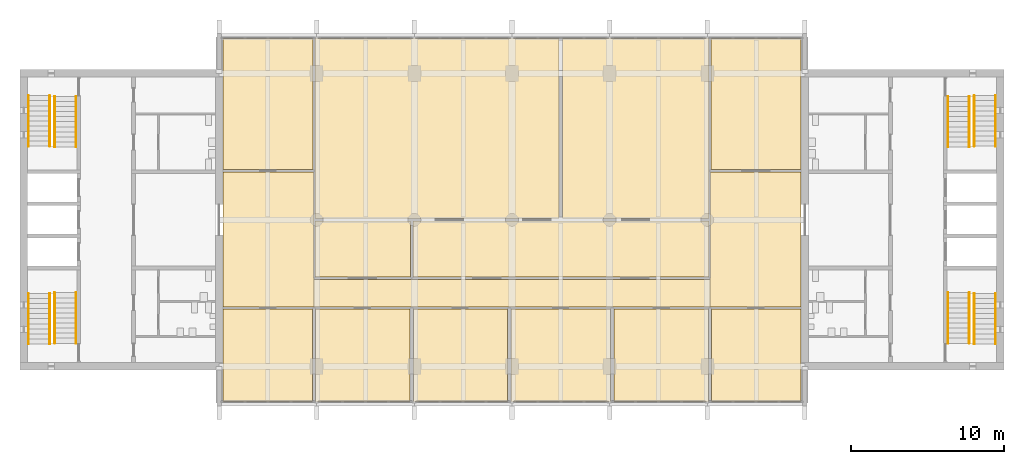
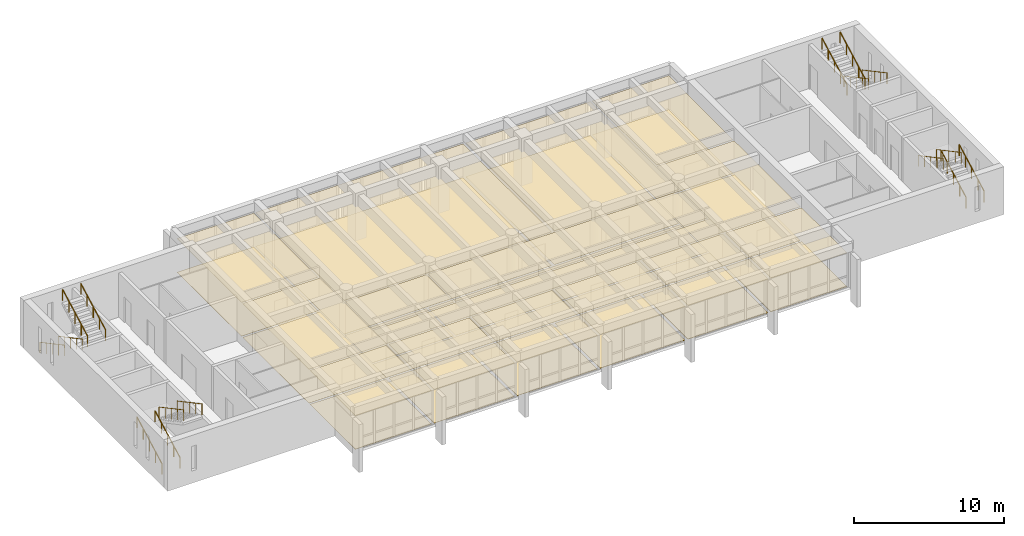
# One storey, part 14 of 15: 30 coverings, 16 railings.
"""IFC4 building model written with IfcOpenShell, lengths in metres."""

import ifcopenshell
import ifcopenshell.guid

model = None  # the IFC model being written
_history = None  # IfcOwnerHistory: only IFC2X3 demands one
_inside = {}  # id of a spatial element -> (the spatial element, [elements in it])
_under = {}  # id of a project, library or spatial element -> (it, [spatial elements below it])
_declared = {}  # id of a project -> (the project, [libraries it declares])
_typed = {}  # id of a type object -> (the type object, [elements of that type])
_made_of = {}  # id of a material, layer set ... -> (it, [elements and type objects made of it])


def new_model(schema):
    """Start an empty IFC model of exactly this schema.

    Asked for "IFC4X3", IfcOpenShell would pick the latest addendum, in which some entities
    have other attributes; the version numbers below select the first issue.
    IFC2X3 requires an IfcOwnerHistory on every rooted entity: one is made here for all.
    """
    global model, _history
    if schema == "IFC4X3":
        model = ifcopenshell.file(schema_version=(4, 3, 0, 0))
    else:
        model = ifcopenshell.file(schema=schema)
    _inside.clear()
    _under.clear()
    _declared.clear()
    _typed.clear()
    _made_of.clear()
    _history = None
    if model.schema == "IFC2X3":
        org = make("IfcOrganization", Name="unknown")
        user = make(
            "IfcPersonAndOrganization",
            ThePerson=make("IfcPerson", FamilyName="unknown"),
            TheOrganization=org,
        )
        app = make(
            "IfcApplication",
            ApplicationDeveloper=org,
            Version="unknown",
            ApplicationFullName="unknown",
            ApplicationIdentifier="unknown",
        )
        _history = make(
            "IfcOwnerHistory",
            OwningUser=user,
            OwningApplication=app,
            ChangeAction="ADDED",
            CreationDate=0,
        )
    return model


def make(cls, **values):
    """One entity of the class cls with the attributes given. An attribute that is None is left unset."""
    return model.create_entity(
        cls, **{name: value for name, value in values.items() if value is not None}
    )


def rooted(cls, **values):
    """An entity with a GlobalId (a new one), such as an element, a storey or a relation."""
    return make(cls, GlobalId=ifcopenshell.guid.new(), OwnerHistory=_history, **values)


def si_unit(unit_type, name, prefix=None):
    """IfcSIUnit, for example si_unit("LENGTHUNIT", "METRE", prefix="MILLI")."""
    return make("IfcSIUnit", UnitType=unit_type, Prefix=prefix, Name=name)


def assignment(units):
    """IfcUnitAssignment: the units of a project."""
    return None if units is None else make("IfcUnitAssignment", Units=units)


def point(xyz):
    """IfcCartesianPoint."""
    return None if xyz is None else make("IfcCartesianPoint", Coordinates=xyz)


def direction(xyz):
    """IfcDirection."""
    return None if xyz is None else make("IfcDirection", DirectionRatios=xyz)


def frame(location, z_axis=None, x_axis=None):
    """IfcAxis2Placement3D, a coordinate frame: its origin and axes. An axis left out is left unset."""
    return make(
        "IfcAxis2Placement3D",
        Location=point(location),
        Axis=direction(z_axis),
        RefDirection=direction(x_axis),
    )


def frame_2d(location, x_axis=None):
    """IfcAxis2Placement2D, a coordinate frame in the plane: its origin and x axis."""
    return make(
        "IfcAxis2Placement2D", Location=point(location), RefDirection=direction(x_axis)
    )


def origin():
    """The frame at (0, 0, 0) with its axes left unset."""
    return frame((0.0, 0.0, 0.0))


def origin_2d():
    """The frame at (0, 0) in the plane with its x axis left unset."""
    return frame_2d((0.0, 0.0))


def place(relative_to, where):
    """IfcLocalPlacement: puts the frame where relative to a parent placement (None: the world)."""
    return make(
        "IfcLocalPlacement", PlacementRelTo=relative_to, RelativePlacement=where
    )


def context(
    kind, dimensions, precision=None, world=None, true_north=None, identifier=None
):
    """IfcGeometricRepresentationContext, for example the 3D "Model" context."""
    return make(
        "IfcGeometricRepresentationContext",
        ContextIdentifier=identifier,
        ContextType=kind,
        CoordinateSpaceDimension=dimensions,
        Precision=precision,
        WorldCoordinateSystem=world,
        TrueNorth=true_north,
    )


def subcontext(parent, identifier, kind, view, scale=None):
    """IfcGeometricRepresentationSubContext, for example "Body" below "Model"."""
    return make(
        "IfcGeometricRepresentationSubContext",
        ContextIdentifier=identifier,
        ContextType=kind,
        ParentContext=parent,
        TargetScale=scale,
        TargetView=view,
    )


def project(units=None, contexts=None):
    """IfcProject with its units and contexts."""
    return rooted(
        "IfcProject",
        Name="project",
        RepresentationContexts=contexts,
        UnitsInContext=assignment(units),
    )


def spatial(cls, under=None, at=None, **own):
    """A site, building, storey or space (cls), placed at a placement, below another one or the project."""
    s = rooted(cls, ObjectPlacement=at, **own)
    if under is not None:
        _under.setdefault(under.id(), (under, []))[1].append(s)
    return s


def polyline(points):
    """IfcPolyline through the points."""
    return make("IfcPolyline", Points=[point(p) for p in points])


def profile(cls, at=None, kind="AREA", **sizes):
    """A parametric profile (cls). Its sizes go by their IFC names, for example OverallWidth=200.0."""
    return make(cls, ProfileType=kind, Position=at, **sizes)


def circle(**sizes):
    """IfcCircleProfileDef."""
    return profile("IfcCircleProfileDef", **sizes)


def outline(outer, holes=None, kind="AREA"):
    """IfcArbitraryClosedProfileDef: a profile drawn as a closed curve; with holes, ...WithVoids."""
    if holes is None:
        return make("IfcArbitraryClosedProfileDef", ProfileType=kind, OuterCurve=outer)
    return make(
        "IfcArbitraryProfileDefWithVoids",
        ProfileType=kind,
        OuterCurve=outer,
        InnerCurves=holes,
    )


def extrude(swept, where, along, depth):
    """IfcExtrudedAreaSolid: the profile swept, set in the frame where, extruded along a direction by depth."""
    return make(
        "IfcExtrudedAreaSolid",
        SweptArea=swept,
        Position=where,
        ExtrudedDirection=direction(along),
        Depth=depth,
    )


def shape(context_of_items, identifier, shape_type, items):
    """IfcShapeRepresentation: the items that make up one representation, for example the "Body"."""
    return make(
        "IfcShapeRepresentation",
        ContextOfItems=context_of_items,
        RepresentationIdentifier=identifier,
        RepresentationType=shape_type,
        Items=items,
    )


def material(Name=None, Category=None):
    """IfcMaterial."""
    return make("IfcMaterial", Name=Name, Category=Category)


def layer(
    of_material, thickness, ventilated=None, Name=None, Category=None, Priority=None
):
    """IfcMaterialLayer: one layer of a wall or slab, of a material (None: an air gap)."""
    return make(
        "IfcMaterialLayer",
        Material=of_material,
        LayerThickness=thickness,
        IsVentilated=ventilated,
        Name=Name,
        Category=Category,
        Priority=Priority,
    )


def layer_set(layers, Name=None):
    """IfcMaterialLayerSet."""
    return make("IfcMaterialLayerSet", MaterialLayers=layers, LayerSetName=Name)


def made_of(thing, what):
    """Note that an element or type object is made of a material, layer set ...; save() writes the relation."""
    if what is not None:
        _made_of.setdefault(what.id(), (what, []))[1].append(thing)
    return thing


def type_object(cls, material=None, **own):
    """A type object (cls), such as IfcWallType, which elements share."""
    return made_of(rooted(cls, **own), material)


def element(
    cls,
    number,
    at=None,
    inside=None,
    cuts=None,
    type_object=None,
    material=None,
    context=None,
    identifier="Body",
    shape_type=None,
    held_by="IfcProductDefinitionShape",
    body=None,
    shapes=None,
    **own,
):
    """One element of the class cls, such as IfcWall. Its Tag is "e" and its number.

    at: its placement. inside: the storey or other place that contains it. cuts: it is an
    opening in that element (IfcRelVoidsElement). A single representation is given by context,
    identifier, shape_type and body (its items); several are given by shapes. held_by: the class
    of the entity that holds the representations. save() writes the other relations.
    """
    e = rooted(cls, Tag="e%d" % number, ObjectPlacement=at, **own)
    if body is not None:
        shapes = [shape(context, identifier, shape_type, body)]
    if shapes is not None:
        e.Representation = make(held_by, Representations=shapes)
    if inside is not None:
        _inside.setdefault(inside.id(), (inside, []))[1].append(e)
    if cuts is not None:
        rooted(
            "IfcRelVoidsElement", RelatingBuildingElement=cuts, RelatedOpeningElement=e
        )
    if type_object is not None:
        _typed.setdefault(type_object.id(), (type_object, []))[1].append(e)
    return made_of(e, material)


def aggregate(whole, parts):
    """IfcRelAggregates: a whole, such as a stair, and the parts it consists of."""
    return rooted("IfcRelAggregates", RelatingObject=whole, RelatedObjects=parts)


def save(model, path):
    """Write the relations noted so far, then the file.

    IfcRelAggregates (storeys below a building ...), IfcRelContainedInSpatialStructure (elements
    in a storey), IfcRelDefinesByType, IfcRelAssociatesMaterial and IfcRelDeclares: one each for
    every whole, place, type object, material and project.
    """
    for whole, parts in _under.values():
        aggregate(whole, parts)
    for where, things in _inside.values():
        rooted(
            "IfcRelContainedInSpatialStructure",
            RelatedElements=things,
            RelatingStructure=where,
        )
    for kind, things in _typed.values():
        rooted("IfcRelDefinesByType", RelatedObjects=things, RelatingType=kind)
    for what, things in _made_of.values():
        rooted("IfcRelAssociatesMaterial", RelatedObjects=things, RelatingMaterial=what)
    for by, libraries in _declared.values():
        rooted("IfcRelDeclares", RelatingContext=by, RelatedDefinitions=libraries)
    model.write(path)


model = new_model("IFC4")

# Units and contexts
model_context = context("Model", 3, precision=1e-05, world=origin(), true_north=direction((0.0, 1.0)))
body_context = subcontext(model_context, "Body", "Model", "MODEL_VIEW")
ifc_project = project(units=[si_unit("LENGTHUNIT", "METRE"), si_unit("AREAUNIT", "SQUARE_METRE"), si_unit("VOLUMEUNIT", "CUBIC_METRE"), si_unit("PLANEANGLEUNIT", "RADIAN"), si_unit("MASSUNIT", "GRAM", prefix="KILO")], contexts=[model_context])

# Site, building, storey
site_placement = place(None, origin())
site = spatial("IfcSite", under=ifc_project, at=site_placement, CompositionType="ELEMENT")
building_placement = place(site_placement, origin())
building = spatial("IfcBuilding", under=site, at=building_placement, Name="Fogon Plaza Fire Station and Headquarters Tower", CompositionType="ELEMENT")
storey_placement = place(building_placement, frame((0.0, 0.0, 56.10009765625)))
storey = spatial("IfcBuildingStorey", under=building, at=storey_placement, Name="L14", CompositionType="ELEMENT", Elevation=56.10009765625)

# Railings
ifc_material_1 = material(Name="Steel", Category="steel")
railing_type = type_object("IfcRailingType", Name="Stair Handrail 900", PredefinedType="HANDRAIL", material=ifc_material_1)
for number, where, name in (
    (1, (13.10009765625, 35.06005859375, 0.17724609375), "Handrail ST1"),
    (2, (14.5, 35.06005859375, 0.17724609375), "Handrail ST1"),
):
    element("IfcRailing", number, at=place(storey_placement, frame(where)), inside=storey, type_object=railing_type, Name=name, PredefinedType="HANDRAIL", context=body_context, shape_type="SweptSolid", body=[
        extrude(circle(Radius=0.02392578125, at=origin_2d()), frame((0.0, 0.0, 0.8759765625), z_axis=(0.0, 0.881829236777, 0.471568867892), x_axis=(-1.0, 0.0, 0.0)), (0.0, 0.0, 1.0), 3.75927734375),
        extrude(circle(Radius=0.02099609375, at=origin_2d()), origin(), (0.0, 0.0, 1.0), 0.851806640625),
        extrude(circle(Radius=0.02099609375, at=origin_2d()), frame((0.0, 0.82861328125, 0.443115234375)), (0.0, 0.0, 1.0), 0.851806640625),
        extrude(circle(Radius=0.02099609375, at=origin_2d()), frame((0.0, 1.657470703125, 0.88623046875)), (0.0, 0.0, 1.0), 0.851806640625),
        extrude(circle(Radius=0.02099609375, at=origin_2d()), frame((0.0, 2.486328125, 1.32958984375)), (0.0, 0.0, 1.0), 0.851806640625),
        extrude(circle(Radius=0.02099609375, at=origin_2d()), frame((0.0, 3.31494140625, 1.772705078125)), (0.0, 0.0, 1.0), 0.851806640625),
    ])
for number, where, name in (
    (3, (16.22509765625, 38.425048828125, 2.127197265625), "Handrail ST1"),
    (4, (14.824951171875, 38.425048828125, 2.127197265625), "Handrail ST1"),
):
    element("IfcRailing", number, at=place(storey_placement, frame(where)), inside=storey, type_object=railing_type, Name=name, PredefinedType="HANDRAIL", context=body_context, shape_type="SweptSolid", body=[
        extrude(circle(Radius=0.02392578125, at=origin_2d()), frame((0.0, 0.0, 0.8759765625), z_axis=(0.0, -0.881829236777, 0.471568867892), x_axis=(1.0, 0.0, 0.0)), (0.0, 0.0, 1.0), 3.75927734375),
        extrude(circle(Radius=0.02099609375, at=origin_2d()), origin(), (0.0, 0.0, 1.0), 0.851806640625),
        extrude(circle(Radius=0.02099609375, at=origin_2d()), frame((0.0, -0.82861328125, 0.443115234375)), (0.0, 0.0, 1.0), 0.851806640625),
        extrude(circle(Radius=0.02099609375, at=origin_2d()), frame((0.0, -1.657470703125, 0.88623046875)), (0.0, 0.0, 1.0), 0.851806640625),
        extrude(circle(Radius=0.02099609375, at=origin_2d()), frame((0.0, -2.486328125, 1.32958984375)), (0.0, 0.0, 1.0), 0.851806640625),
        extrude(circle(Radius=0.02099609375, at=origin_2d()), frame((0.0, -3.31494140625, 1.772705078125)), (0.0, 0.0, 1.0), 0.851806640625),
    ])
for number, where, name in (
    (5, (13.10009765625, 51.340087890625, 0.17724609375), "Handrail ST2"),
    (6, (14.5, 51.340087890625, 0.17724609375), "Handrail ST2"),
):
    element("IfcRailing", number, at=place(storey_placement, frame(where)), inside=storey, type_object=railing_type, Name=name, PredefinedType="HANDRAIL", context=body_context, shape_type="SweptSolid", body=[
        extrude(circle(Radius=0.02392578125, at=origin_2d()), frame((0.0, 0.0, 0.8759765625), z_axis=(0.0, -0.881843677922, 0.471541862095), x_axis=(1.0, 0.0, 0.0)), (0.0, 0.0, 1.0), 3.75927734375),
        extrude(circle(Radius=0.02099609375, at=origin_2d()), origin(), (0.0, 0.0, 1.0), 0.851806640625),
        extrude(circle(Radius=0.02099609375, at=origin_2d()), frame((0.0, -0.828857421875, 0.443115234375)), (0.0, 0.0, 1.0), 0.851806640625),
        extrude(circle(Radius=0.02099609375, at=origin_2d()), frame((0.0, -1.65771484375, 0.88623046875)), (0.0, 0.0, 1.0), 0.851806640625),
        extrude(circle(Radius=0.02099609375, at=origin_2d()), frame((0.0, -2.486328125, 1.32958984375)), (0.0, 0.0, 1.0), 0.851806640625),
        extrude(circle(Radius=0.02099609375, at=origin_2d()), frame((0.0, -3.315185546875, 1.772705078125)), (0.0, 0.0, 1.0), 0.851806640625),
    ])
for number, where, name in (
    (7, (16.22509765625, 47.97509765625, 2.127197265625), "Handrail ST2"),
    (8, (14.824951171875, 47.97509765625, 2.127197265625), "Handrail ST2"),
    (9, (76.5, 35.06005859375, 0.17724609375), "Handrail ST3"),
    (10, (75.10009765625, 35.06005859375, 0.17724609375), "Handrail ST3"),
):
    element("IfcRailing", number, at=place(storey_placement, frame(where)), inside=storey, type_object=railing_type, Name=name, PredefinedType="HANDRAIL", context=body_context, shape_type="SweptSolid", body=[
        extrude(circle(Radius=0.02392578125, at=origin_2d()), frame((0.0, 0.0, 0.8759765625), z_axis=(0.0, 0.881829236777, 0.471568867892), x_axis=(-1.0, 0.0, 0.0)), (0.0, 0.0, 1.0), 3.75927734375),
        extrude(circle(Radius=0.02099609375, at=origin_2d()), origin(), (0.0, 0.0, 1.0), 0.851806640625),
        extrude(circle(Radius=0.02099609375, at=origin_2d()), frame((0.0, 0.82861328125, 0.443115234375)), (0.0, 0.0, 1.0), 0.851806640625),
        extrude(circle(Radius=0.02099609375, at=origin_2d()), frame((0.0, 1.657470703125, 0.88623046875)), (0.0, 0.0, 1.0), 0.851806640625),
        extrude(circle(Radius=0.02099609375, at=origin_2d()), frame((0.0, 2.486328125, 1.32958984375)), (0.0, 0.0, 1.0), 0.851806640625),
        extrude(circle(Radius=0.02099609375, at=origin_2d()), frame((0.0, 3.31494140625, 1.772705078125)), (0.0, 0.0, 1.0), 0.851806640625),
    ])
for number, where, name in (
    (11, (73.375, 38.425048828125, 2.127197265625), "Handrail ST3"),
    (12, (74.77490234375, 38.425048828125, 2.127197265625), "Handrail ST3"),
):
    element("IfcRailing", number, at=place(storey_placement, frame(where)), inside=storey, type_object=railing_type, Name=name, PredefinedType="HANDRAIL", context=body_context, shape_type="SweptSolid", body=[
        extrude(circle(Radius=0.02392578125, at=origin_2d()), frame((0.0, 0.0, 0.8759765625), z_axis=(0.0, -0.881829236777, 0.471568867892), x_axis=(1.0, 0.0, 0.0)), (0.0, 0.0, 1.0), 3.75927734375),
        extrude(circle(Radius=0.02099609375, at=origin_2d()), origin(), (0.0, 0.0, 1.0), 0.851806640625),
        extrude(circle(Radius=0.02099609375, at=origin_2d()), frame((0.0, -0.82861328125, 0.443115234375)), (0.0, 0.0, 1.0), 0.851806640625),
        extrude(circle(Radius=0.02099609375, at=origin_2d()), frame((0.0, -1.657470703125, 0.88623046875)), (0.0, 0.0, 1.0), 0.851806640625),
        extrude(circle(Radius=0.02099609375, at=origin_2d()), frame((0.0, -2.486328125, 1.32958984375)), (0.0, 0.0, 1.0), 0.851806640625),
        extrude(circle(Radius=0.02099609375, at=origin_2d()), frame((0.0, -3.31494140625, 1.772705078125)), (0.0, 0.0, 1.0), 0.851806640625),
    ])
for number, where, name in (
    (13, (76.5, 51.340087890625, 0.17724609375), "Handrail ST4"),
    (14, (75.10009765625, 51.340087890625, 0.17724609375), "Handrail ST4"),
):
    element("IfcRailing", number, at=place(storey_placement, frame(where)), inside=storey, type_object=railing_type, Name=name, PredefinedType="HANDRAIL", context=body_context, shape_type="SweptSolid", body=[
        extrude(circle(Radius=0.02392578125, at=origin_2d()), frame((0.0, 0.0, 0.8759765625), z_axis=(0.0, -0.881843677922, 0.471541862095), x_axis=(1.0, 0.0, 0.0)), (0.0, 0.0, 1.0), 3.75927734375),
        extrude(circle(Radius=0.02099609375, at=origin_2d()), origin(), (0.0, 0.0, 1.0), 0.851806640625),
        extrude(circle(Radius=0.02099609375, at=origin_2d()), frame((0.0, -0.828857421875, 0.443115234375)), (0.0, 0.0, 1.0), 0.851806640625),
        extrude(circle(Radius=0.02099609375, at=origin_2d()), frame((0.0, -1.65771484375, 0.88623046875)), (0.0, 0.0, 1.0), 0.851806640625),
        extrude(circle(Radius=0.02099609375, at=origin_2d()), frame((0.0, -2.486328125, 1.32958984375)), (0.0, 0.0, 1.0), 0.851806640625),
        extrude(circle(Radius=0.02099609375, at=origin_2d()), frame((0.0, -3.315185546875, 1.772705078125)), (0.0, 0.0, 1.0), 0.851806640625),
    ])
for number, where, name in (
    (15, (73.375, 47.97509765625, 2.127197265625), "Handrail ST4"),
    (16, (74.77490234375, 47.97509765625, 2.127197265625), "Handrail ST4"),
):
    element("IfcRailing", number, at=place(storey_placement, frame(where)), inside=storey, type_object=railing_type, Name=name, PredefinedType="HANDRAIL", context=body_context, shape_type="SweptSolid", body=[
        extrude(circle(Radius=0.02392578125, at=origin_2d()), frame((0.0, 0.0, 0.8759765625), z_axis=(0.0, 0.881829236777, 0.471568867892), x_axis=(-1.0, 0.0, 0.0)), (0.0, 0.0, 1.0), 3.75927734375),
        extrude(circle(Radius=0.02099609375, at=origin_2d()), origin(), (0.0, 0.0, 1.0), 0.851806640625),
        extrude(circle(Radius=0.02099609375, at=origin_2d()), frame((0.0, 0.82861328125, 0.443115234375)), (0.0, 0.0, 1.0), 0.851806640625),
        extrude(circle(Radius=0.02099609375, at=origin_2d()), frame((0.0, 1.657470703125, 0.88623046875)), (0.0, 0.0, 1.0), 0.851806640625),
        extrude(circle(Radius=0.02099609375, at=origin_2d()), frame((0.0, 2.486328125, 1.32958984375)), (0.0, 0.0, 1.0), 0.851806640625),
        extrude(circle(Radius=0.02099609375, at=origin_2d()), frame((0.0, 3.31494140625, 1.772705078125)), (0.0, 0.0, 1.0), 0.851806640625),
    ])

# Coverings
ifc_material_2 = material(Name="Acoustic ceiling tile")
ifc_layer_1 = layer(ifc_material_2, 0.050048828125)
ifc_layer_set_1 = layer_set([ifc_layer_1], Name="Acoustic ceiling tile")
covering_type_1 = type_object("IfcCoveringType", Name="Tower acoustic ceiling", PredefinedType="CEILING", material=ifc_layer_set_1)
covering_1_placement = place(storey_placement, frame((0.0, 0.0, 2.72998046875)))
element("IfcCovering", 17, at=covering_1_placement, inside=storey, type_object=covering_type_1, Name="cov-cl-L14-09", PredefinedType="CEILING", context=body_context, shape_type="SweptSolid", body=[
    extrude(outline(polyline([(47.887451171875, 43.27490234375), (47.887451171875, 55.10009765625), (31.89501953125, 55.10009765625), (31.89501953125, 43.27490234375), (47.887451171875, 43.27490234375)])), origin(), (0.0, 0.0, 1.0), 0.0498046875),
])
ifc_material_3 = material(Name="Carpet tile")
ifc_layer_2 = layer(ifc_material_3, 0.011962890625)
ifc_layer_set_2 = layer_set([ifc_layer_2], Name="Carpet tile")
covering_type_2 = type_object("IfcCoveringType", Name="Tower carpet tile floor", PredefinedType="FLOORING", material=ifc_layer_set_2)
covering_2_placement = place(storey_placement, origin())
element("IfcCovering", 18, at=covering_2_placement, inside=storey, type_object=covering_type_2, Name="cov-fl-L14-12", PredefinedType="FLOORING", context=body_context, shape_type="SweptSolid", body=[
    extrude(outline(polyline([(63.75, 46.5), (63.75, 55.10009765625), (57.85498046875, 55.10009765625), (57.85498046875, 46.5), (63.75, 46.5)])), origin(), (0.0, 0.0, 1.0), 0.011962890625),
])
ifc_material_4 = material(Name="Ceramic tile")
ifc_layer_3 = layer(ifc_material_4, 0.02001953125)
ifc_layer_set_3 = layer_set([ifc_layer_3], Name="Ceramic tile")
covering_type_3 = type_object("IfcCoveringType", Name="Tower ceramic tile floor", PredefinedType="FLOORING", material=ifc_layer_set_3)
covering_3_placement = place(storey_placement, origin())
element("IfcCovering", 19, at=covering_3_placement, inside=storey, type_object=covering_type_3, Name="cov-fl-L14-11", PredefinedType="FLOORING", context=body_context, shape_type="SweptSolid", body=[
    extrude(outline(polyline([(31.7451171875, 46.5), (31.7451171875, 55.10009765625), (25.85009765625, 55.10009765625), (25.85009765625, 46.5), (31.7451171875, 46.5)])), origin(), (0.0, 0.0, 1.0), 0.02001953125),
])
ifc_material_5 = material(Name="Heavy duty carpet tile")
ifc_layer_4 = layer(ifc_material_5, 0.013916015625)
ifc_layer_set_4 = layer_set([ifc_layer_4], Name="Heavy duty carpet tile")
covering_type_4 = type_object("IfcCoveringType", Name="Tower corridor carpet floor", PredefinedType="FLOORING", material=ifc_layer_set_4)
covering_4_placement = place(storey_placement, origin())
element("IfcCovering", 20, at=covering_4_placement, inside=storey, type_object=covering_type_4, Name="cov-fl-L14-08", PredefinedType="FLOORING", context=body_context, shape_type="SweptSolid", body=[
    extrude(outline(polyline([(57.705078125, 39.449951171875), (57.705078125, 43.125), (38.294921875, 43.125), (38.294921875, 39.449951171875), (57.705078125, 39.449951171875)])), origin(), (0.0, 0.0, 1.0), 0.013916015625),
])
covering_5_placement = place(storey_placement, origin())
element("IfcCovering", 21, at=covering_5_placement, inside=storey, type_object=covering_type_4, Name="cov-fl-L14-13", PredefinedType="FLOORING", context=body_context, shape_type="SweptSolid", body=[
    extrude(outline(polyline([(57.780029296875, 37.5), (57.780029296875, 39.300048828125), (31.820068359375, 39.300048828125), (31.820068359375, 37.5), (57.780029296875, 37.5)])), origin(), (0.0, 0.0, 1.0), 0.013916015625),
])
covering_6_placement = place(storey_placement, origin())
element("IfcCovering", 22, at=covering_6_placement, inside=storey, type_object=covering_type_4, Name="cov-fl-L14-14", PredefinedType="FLOORING", context=body_context, shape_type="SweptSolid", body=[
    extrude(outline(polyline([(31.820068359375, 37.5), (31.820068359375, 46.35009765625), (25.85009765625, 46.35009765625), (25.85009765625, 37.5), (31.820068359375, 37.5)])), origin(), (0.0, 0.0, 1.0), 0.013916015625),
])
covering_7_placement = place(storey_placement, origin())
element("IfcCovering", 23, at=covering_7_placement, inside=storey, type_object=covering_type_4, Name="cov-fl-L14-15", PredefinedType="FLOORING", context=body_context, shape_type="SweptSolid", body=[
    extrude(outline(polyline([(63.75, 37.5), (63.75, 46.35009765625), (57.780029296875, 46.35009765625), (57.780029296875, 37.5), (63.75, 37.5)])), origin(), (0.0, 0.0, 1.0), 0.013916015625),
])
ifc_material_6 = material(Name="Moisture resistant plasterboard ceiling")
ifc_layer_5 = layer(ifc_material_6, 0.034912109375)
ifc_layer_set_5 = layer_set([ifc_layer_5], Name="Moisture resistant plasterboard ceiling")
covering_type_5 = type_object("IfcCoveringType", Name="Tower moisture resistant ceiling", PredefinedType="CEILING", material=ifc_layer_set_5)
covering_8_placement = place(storey_placement, frame((0.0, 0.0, 2.744873046875)))
element("IfcCovering", 24, at=covering_8_placement, inside=storey, type_object=covering_type_5, Name="cov-cl-L14-11", PredefinedType="CEILING", context=body_context, shape_type="SweptSolid", body=[
    extrude(outline(polyline([(31.7451171875, 46.5), (31.7451171875, 55.10009765625), (25.85009765625, 55.10009765625), (25.85009765625, 46.5), (31.7451171875, 46.5)])), origin(), (0.0, 0.0, 1.0), 0.034912109375),
])
ifc_material_7 = material(Name="Plasterboard ceiling")
ifc_layer_6 = layer(ifc_material_7, 0.030029296875)
ifc_layer_set_6 = layer_set([ifc_layer_6], Name="Plasterboard ceiling")
covering_type_6 = type_object("IfcCoveringType", Name="Tower plasterboard ceiling", PredefinedType="CEILING", material=ifc_layer_set_6)
covering_9_placement = place(storey_placement, frame((0.0, 0.0, 2.75)))
element("IfcCovering", 25, at=covering_9_placement, inside=storey, type_object=covering_type_6, Name="cov-cl-L14-08", PredefinedType="CEILING", context=body_context, shape_type="SweptSolid", body=[
    extrude(outline(polyline([(57.705078125, 39.449951171875), (57.705078125, 43.125), (38.294921875, 43.125), (38.294921875, 39.449951171875), (57.705078125, 39.449951171875)])), origin(), (0.0, 0.0, 1.0), 0.02978515625),
])
covering_10_placement = place(storey_placement, frame((0.0, 0.0, 2.75)))
element("IfcCovering", 26, at=covering_10_placement, inside=storey, type_object=covering_type_6, Name="cov-cl-L14-13", PredefinedType="CEILING", context=body_context, shape_type="SweptSolid", body=[
    extrude(outline(polyline([(57.780029296875, 37.5), (57.780029296875, 39.300048828125), (31.820068359375, 39.300048828125), (31.820068359375, 37.5), (57.780029296875, 37.5)])), origin(), (0.0, 0.0, 1.0), 0.02978515625),
])
covering_11_placement = place(storey_placement, frame((0.0, 0.0, 2.75)))
element("IfcCovering", 27, at=covering_11_placement, inside=storey, type_object=covering_type_6, Name="cov-cl-L14-14", PredefinedType="CEILING", context=body_context, shape_type="SweptSolid", body=[
    extrude(outline(polyline([(31.820068359375, 37.5), (31.820068359375, 46.35009765625), (25.85009765625, 46.35009765625), (25.85009765625, 37.5), (31.820068359375, 37.5)])), origin(), (0.0, 0.0, 1.0), 0.02978515625),
])
covering_12_placement = place(storey_placement, frame((0.0, 0.0, 2.75)))
element("IfcCovering", 28, at=covering_12_placement, inside=storey, type_object=covering_type_6, Name="cov-cl-L14-15", PredefinedType="CEILING", context=body_context, shape_type="SweptSolid", body=[
    extrude(outline(polyline([(63.75, 37.5), (63.75, 46.35009765625), (57.780029296875, 46.35009765625), (57.780029296875, 37.5), (63.75, 37.5)])), origin(), (0.0, 0.0, 1.0), 0.02978515625),
])
ifc_material_8 = material(Name="Mineral fibre ceiling tile")
ifc_layer_7 = layer(ifc_material_8, 0.0400390625)
ifc_layer_set_7 = layer_set([ifc_layer_7], Name="Mineral fibre ceiling tile")
covering_type_7 = type_object("IfcCoveringType", Name="Tower suspended tile ceiling", PredefinedType="CEILING", material=ifc_layer_set_7)
covering_13_placement = place(storey_placement, frame((0.0, 0.0, 2.739990234375)))
element("IfcCovering", 29, at=covering_13_placement, inside=storey, type_object=covering_type_7, Name="cov-cl-L14-01", PredefinedType="CEILING", context=body_context, shape_type="SweptSolid", body=[
    extrude(outline(polyline([(31.70751953125, 31.300048828125), (31.70751953125, 37.35009765625), (25.85009765625, 37.35009765625), (25.85009765625, 31.300048828125), (31.70751953125, 31.300048828125)])), origin(), (0.0, 0.0, 1.0), 0.039794921875),
])
covering_14_placement = place(storey_placement, frame((0.0, 0.0, 2.739990234375)))
element("IfcCovering", 30, at=covering_14_placement, inside=storey, type_object=covering_type_7, Name="cov-cl-L14-02", PredefinedType="CEILING", context=body_context, shape_type="SweptSolid", body=[
    extrude(outline(polyline([(38.107421875, 31.300048828125), (38.107421875, 37.35009765625), (31.9326171875, 37.35009765625), (31.9326171875, 31.300048828125), (38.107421875, 31.300048828125)])), origin(), (0.0, 0.0, 1.0), 0.039794921875),
])
covering_15_placement = place(storey_placement, frame((0.0, 0.0, 2.739990234375)))
element("IfcCovering", 31, at=covering_15_placement, inside=storey, type_object=covering_type_7, Name="cov-cl-L14-03", PredefinedType="CEILING", context=body_context, shape_type="SweptSolid", body=[
    extrude(outline(polyline([(44.507568359375, 31.300048828125), (44.507568359375, 37.35009765625), (38.33251953125, 37.35009765625), (38.33251953125, 31.300048828125), (44.507568359375, 31.300048828125)])), origin(), (0.0, 0.0, 1.0), 0.039794921875),
])
covering_16_placement = place(storey_placement, frame((0.0, 0.0, 2.739990234375)))
element("IfcCovering", 32, at=covering_16_placement, inside=storey, type_object=covering_type_7, Name="cov-cl-L14-04", PredefinedType="CEILING", context=body_context, shape_type="SweptSolid", body=[
    extrude(outline(polyline([(51.267578125, 31.300048828125), (51.267578125, 37.35009765625), (44.732421875, 37.35009765625), (44.732421875, 31.300048828125), (51.267578125, 31.300048828125)])), origin(), (0.0, 0.0, 1.0), 0.039794921875),
])
covering_17_placement = place(storey_placement, frame((0.0, 0.0, 2.739990234375)))
element("IfcCovering", 33, at=covering_17_placement, inside=storey, type_object=covering_type_7, Name="cov-cl-L14-05", PredefinedType="CEILING", context=body_context, shape_type="SweptSolid", body=[
    extrude(outline(polyline([(57.66748046875, 31.300048828125), (57.66748046875, 37.35009765625), (51.492431640625, 37.35009765625), (51.492431640625, 31.300048828125), (57.66748046875, 31.300048828125)])), origin(), (0.0, 0.0, 1.0), 0.039794921875),
])
covering_18_placement = place(storey_placement, frame((0.0, 0.0, 2.739990234375)))
element("IfcCovering", 34, at=covering_18_placement, inside=storey, type_object=covering_type_7, Name="cov-cl-L14-06", PredefinedType="CEILING", context=body_context, shape_type="SweptSolid", body=[
    extrude(outline(polyline([(63.75, 31.300048828125), (63.75, 37.35009765625), (57.892578125, 37.35009765625), (57.892578125, 31.300048828125), (63.75, 31.300048828125)])), origin(), (0.0, 0.0, 1.0), 0.039794921875),
])
covering_19_placement = place(storey_placement, frame((0.0, 0.0, 2.739990234375)))
element("IfcCovering", 35, at=covering_19_placement, inside=storey, type_object=covering_type_7, Name="cov-cl-L14-07", PredefinedType="CEILING", context=body_context, shape_type="SweptSolid", body=[
    extrude(outline(polyline([(38.14501953125, 39.449951171875), (38.14501953125, 43.125), (31.89501953125, 43.125), (31.89501953125, 39.449951171875), (38.14501953125, 39.449951171875)])), origin(), (0.0, 0.0, 1.0), 0.039794921875),
])
covering_20_placement = place(storey_placement, frame((0.0, 0.0, 2.739990234375)))
element("IfcCovering", 36, at=covering_20_placement, inside=storey, type_object=covering_type_7, Name="cov-cl-L14-10", PredefinedType="CEILING", context=body_context, shape_type="SweptSolid", body=[
    extrude(outline(polyline([(57.705078125, 43.27490234375), (57.705078125, 55.10009765625), (48.112548828125, 55.10009765625), (48.112548828125, 43.27490234375), (57.705078125, 43.27490234375)])), origin(), (0.0, 0.0, 1.0), 0.039794921875),
])
covering_21_placement = place(storey_placement, frame((0.0, 0.0, 2.739990234375)))
element("IfcCovering", 37, at=covering_21_placement, inside=storey, type_object=covering_type_7, Name="cov-cl-L14-12", PredefinedType="CEILING", context=body_context, shape_type="SweptSolid", body=[
    extrude(outline(polyline([(63.75, 46.5), (63.75, 55.10009765625), (57.85498046875, 55.10009765625), (57.85498046875, 46.5), (63.75, 46.5)])), origin(), (0.0, 0.0, 1.0), 0.039794921875),
])
ifc_material_9 = material(Name="Engineered timber flooring", Category="wood")
ifc_layer_8 = layer(ifc_material_9, 0.01806640625)
ifc_layer_set_8 = layer_set([ifc_layer_8], Name="Engineered timber flooring")
covering_type_8 = type_object("IfcCoveringType", Name="Tower timber floor", PredefinedType="FLOORING", material=ifc_layer_set_8)
covering_22_placement = place(storey_placement, origin())
element("IfcCovering", 38, at=covering_22_placement, inside=storey, type_object=covering_type_8, Name="cov-fl-L14-01", PredefinedType="FLOORING", context=body_context, shape_type="SweptSolid", body=[
    extrude(outline(polyline([(31.70751953125, 31.300048828125), (31.70751953125, 37.35009765625), (25.85009765625, 37.35009765625), (25.85009765625, 31.300048828125), (31.70751953125, 31.300048828125)])), origin(), (0.0, 0.0, 1.0), 0.017822265625),
])
covering_23_placement = place(storey_placement, origin())
element("IfcCovering", 39, at=covering_23_placement, inside=storey, type_object=covering_type_8, Name="cov-fl-L14-02", PredefinedType="FLOORING", context=body_context, shape_type="SweptSolid", body=[
    extrude(outline(polyline([(38.107421875, 31.300048828125), (38.107421875, 37.35009765625), (31.9326171875, 37.35009765625), (31.9326171875, 31.300048828125), (38.107421875, 31.300048828125)])), origin(), (0.0, 0.0, 1.0), 0.017822265625),
])
covering_24_placement = place(storey_placement, origin())
element("IfcCovering", 40, at=covering_24_placement, inside=storey, type_object=covering_type_8, Name="cov-fl-L14-03", PredefinedType="FLOORING", context=body_context, shape_type="SweptSolid", body=[
    extrude(outline(polyline([(44.507568359375, 31.300048828125), (44.507568359375, 37.35009765625), (38.33251953125, 37.35009765625), (38.33251953125, 31.300048828125), (44.507568359375, 31.300048828125)])), origin(), (0.0, 0.0, 1.0), 0.017822265625),
])
covering_25_placement = place(storey_placement, origin())
element("IfcCovering", 41, at=covering_25_placement, inside=storey, type_object=covering_type_8, Name="cov-fl-L14-04", PredefinedType="FLOORING", context=body_context, shape_type="SweptSolid", body=[
    extrude(outline(polyline([(51.267578125, 31.300048828125), (51.267578125, 37.35009765625), (44.732421875, 37.35009765625), (44.732421875, 31.300048828125), (51.267578125, 31.300048828125)])), origin(), (0.0, 0.0, 1.0), 0.017822265625),
])
covering_26_placement = place(storey_placement, origin())
element("IfcCovering", 42, at=covering_26_placement, inside=storey, type_object=covering_type_8, Name="cov-fl-L14-05", PredefinedType="FLOORING", context=body_context, shape_type="SweptSolid", body=[
    extrude(outline(polyline([(57.66748046875, 31.300048828125), (57.66748046875, 37.35009765625), (51.492431640625, 37.35009765625), (51.492431640625, 31.300048828125), (57.66748046875, 31.300048828125)])), origin(), (0.0, 0.0, 1.0), 0.017822265625),
])
covering_27_placement = place(storey_placement, origin())
element("IfcCovering", 43, at=covering_27_placement, inside=storey, type_object=covering_type_8, Name="cov-fl-L14-06", PredefinedType="FLOORING", context=body_context, shape_type="SweptSolid", body=[
    extrude(outline(polyline([(63.75, 31.300048828125), (63.75, 37.35009765625), (57.892578125, 37.35009765625), (57.892578125, 31.300048828125), (63.75, 31.300048828125)])), origin(), (0.0, 0.0, 1.0), 0.017822265625),
])
covering_28_placement = place(storey_placement, origin())
element("IfcCovering", 44, at=covering_28_placement, inside=storey, type_object=covering_type_8, Name="cov-fl-L14-07", PredefinedType="FLOORING", context=body_context, shape_type="SweptSolid", body=[
    extrude(outline(polyline([(38.14501953125, 39.449951171875), (38.14501953125, 43.125), (31.89501953125, 43.125), (31.89501953125, 39.449951171875), (38.14501953125, 39.449951171875)])), origin(), (0.0, 0.0, 1.0), 0.017822265625),
])
covering_29_placement = place(storey_placement, origin())
element("IfcCovering", 45, at=covering_29_placement, inside=storey, type_object=covering_type_8, Name="cov-fl-L14-09", PredefinedType="FLOORING", context=body_context, shape_type="SweptSolid", body=[
    extrude(outline(polyline([(47.887451171875, 43.27490234375), (47.887451171875, 55.10009765625), (31.89501953125, 55.10009765625), (31.89501953125, 43.27490234375), (47.887451171875, 43.27490234375)])), origin(), (0.0, 0.0, 1.0), 0.017822265625),
])
covering_30_placement = place(storey_placement, origin())
element("IfcCovering", 46, at=covering_30_placement, inside=storey, type_object=covering_type_8, Name="cov-fl-L14-10", PredefinedType="FLOORING", context=body_context, shape_type="SweptSolid", body=[
    extrude(outline(polyline([(57.705078125, 43.27490234375), (57.705078125, 55.10009765625), (48.112548828125, 55.10009765625), (48.112548828125, 43.27490234375), (57.705078125, 43.27490234375)])), origin(), (0.0, 0.0, 1.0), 0.017822265625),
])

save(model, "model.ifc")
